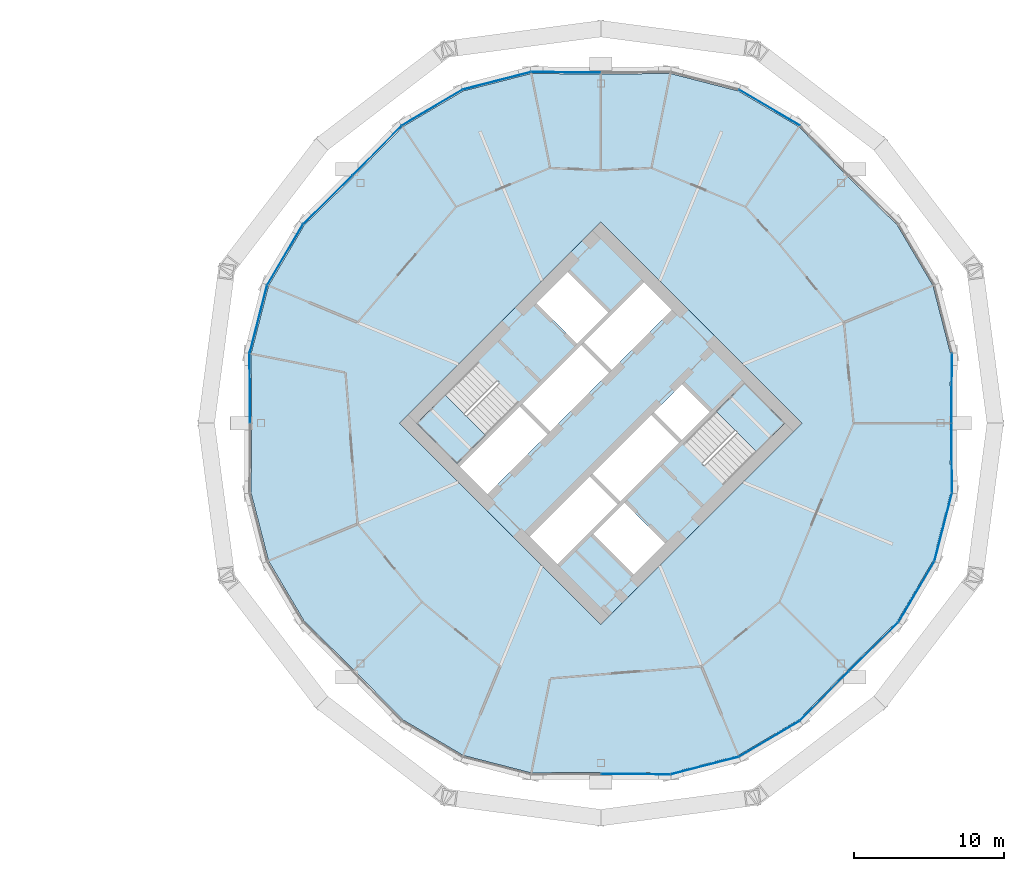
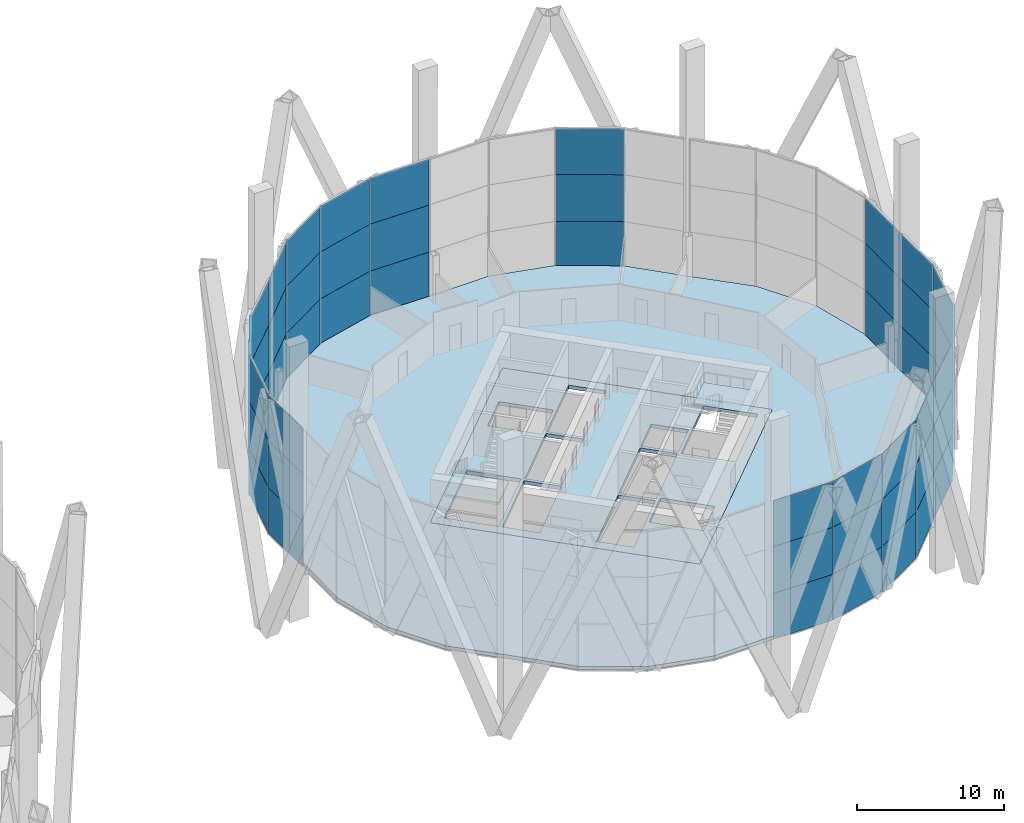
# One storey, part 17 of 26: 54 plates, 4 slabs, 8 elements without a shape of their own.
"""IFC4 building model written with IfcOpenShell, lengths in metres."""

from ifc_helpers import new_model, si_unit, direction, frame, origin, origin_2d, place, context, subcontext, project, spatial, polyline, rectangle, outline, extrude, material, layer, layer_set, type_object, element, aggregate, save


model = new_model("IFC4")

# Units and contexts
model_context = context("Model", 3, precision=1e-05, world=origin(), true_north=direction((0.0, 1.0)))
body_context = subcontext(model_context, "Body", "Model", "MODEL_VIEW")
ifc_project = project(units=[si_unit("LENGTHUNIT", "METRE"), si_unit("AREAUNIT", "SQUARE_METRE"), si_unit("VOLUMEUNIT", "CUBIC_METRE"), si_unit("PLANEANGLEUNIT", "RADIAN"), si_unit("MASSUNIT", "GRAM", prefix="KILO")], contexts=[model_context])

# Site, building, storey
site_placement = place(None, origin())
site = spatial("IfcSite", under=ifc_project, at=site_placement, CompositionType="ELEMENT")
building_placement = place(site_placement, origin())
building = spatial("IfcBuilding", under=site, at=building_placement, Name="Ogive Gate Towers", CompositionType="ELEMENT")
storey_placement = place(building_placement, frame((0.0, 0.0, 76.199951171875)))
storey = spatial("IfcBuildingStorey", under=building, at=storey_placement, Name="L17", CompositionType="ELEMENT", Elevation=76.199951171875)

# Slabs
ifc_material_1 = material(Name="Concrete C40/50", Category="concrete")
ifc_layer_1 = layer(ifc_material_1, 0.300048828125)
ifc_layer_set_1 = layer_set([ifc_layer_1], Name="Core slab C40/50 300 mm")
slab_type_1 = type_object("IfcSlabType", Name="Core slab C40/50 300 mm", PredefinedType="FLOOR", material=ifc_layer_set_1)
slab_1_placement = place(storey_placement, frame((0.0, 0.0, -0.300048828125)))
element("IfcSlab", 1, at=slab_1_placement, inside=storey, type_object=slab_type_1, Name="T2 L17 core slab", PredefinedType="FLOOR", context=body_context, shape_type="SweptSolid", body=[
    extrude(outline(polyline([(36.0, 13.43505859375), (49.43505859375, 0.0), (36.0, -13.43505859375), (22.56494140625, 0.0), (36.0, 13.43505859375)]), holes=[polyline([(30.590576171875, 1.13134765625), (26.577880859375, -2.881591796875), (28.43408203125, -4.737548828125), (32.44677734375, -0.724853515625), (30.590576171875, 1.13134765625)]), polyline([(36.548095703125, 3.37646484375), (34.69189453125, 5.232666015625), (30.767333984375, 1.30810546875), (32.62353515625, -0.548095703125), (36.548095703125, 3.37646484375)]), polyline([(36.724853515625, 3.55322265625), (40.737548828125, 7.56591796875), (38.881591796875, 9.422119140625), (34.86865234375, 5.409423828125), (36.724853515625, 3.55322265625)]), polyline([(31.262451171875, -7.56591796875), (33.118408203125, -9.422119140625), (37.13134765625, -5.409423828125), (35.275146484375, -3.55322265625), (31.262451171875, -7.56591796875)]), polyline([(39.37646484375, 0.548095703125), (35.451904296875, -3.37646484375), (37.30810546875, -5.232666015625), (41.232666015625, -1.30810546875), (39.37646484375, 0.548095703125)]), polyline([(43.283203125, 0.742431640625), (41.427001953125, 2.5986328125), (39.55322265625, 0.724853515625), (41.409423828125, -1.13134765625), (43.283203125, 0.742431640625)]), polyline([(34.408935546875, 5.30322265625), (36.4951171875, 7.389404296875), (33.790283203125, 10.093994140625), (31.704345703125, 8.008056640625), (34.408935546875, 5.30322265625)]), polyline([(35.5048828125, -7.389404296875), (38.209716796875, -10.093994140625), (40.295654296875, -8.008056640625), (37.591064453125, -5.30322265625), (35.5048828125, -7.389404296875)]), polyline([(26.40087890625, -2.70458984375), (30.512939453125, 1.406982421875), (27.80810546875, 4.11181640625), (23.6962890625, 0.0), (26.40087890625, -2.70458984375)]), polyline([(48.3037109375, 0.0), (45.59912109375, 2.70458984375), (41.487060546875, -1.406982421875), (44.19189453125, -4.11181640625), (48.3037109375, 0.0)])]), origin(), (0.0, 0.0, 1.0), 0.300048828125),
])
ifc_material_2 = material(Name="Concrete C35/45", Category="concrete")
ifc_layer_2 = layer(ifc_material_2, 0.300048828125)
ifc_layer_set_2 = layer_set([ifc_layer_2], Name="Floor slab 300")
slab_type_2 = type_object("IfcSlabType", Name="Floor slab 300", PredefinedType="FLOOR", material=ifc_layer_set_2)
slab_2_placement = place(storey_placement, frame((0.0, 0.0, -0.300048828125)))
element("IfcSlab", 2, at=slab_2_placement, inside=storey, type_object=slab_type_2, Name="T2/L17/SSL001", PredefinedType="FLOOR", context=body_context, shape_type="SweptSolid", body=[
    extrude(outline(polyline([(59.3427734375, -4.64306640625), (59.300048828125, 0.0), (59.3427734375, 4.64306640625), (58.173095703125, 9.184326171875), (55.7890625, 13.22265625), (52.4755859375, 16.4755859375), (49.22265625, 19.7890625), (45.184326171875, 22.173095703125), (40.64306640625, 23.3427734375), (36.0, 23.300048828125), (31.35693359375, 23.3427734375), (26.815673828125, 22.173095703125), (22.77734375, 19.7890625), (19.5244140625, 16.4755859375), (16.2109375, 13.22265625), (13.826904296875, 9.184326171875), (12.6572265625, 4.64306640625), (12.699951171875, 0.0), (12.6572265625, -4.64306640625), (13.826904296875, -9.184326171875), (16.2109375, -13.22265625), (19.5244140625, -16.4755859375), (22.77734375, -19.7890625), (26.815673828125, -22.173095703125), (31.35693359375, -23.3427734375), (36.0, -23.300048828125), (40.64306640625, -23.3427734375), (45.184326171875, -22.173095703125), (49.22265625, -19.7890625), (52.4755859375, -16.4755859375), (55.7890625, -13.22265625), (58.173095703125, -9.184326171875), (59.3427734375, -4.64306640625)]), holes=[polyline([(49.43505859375, 0.0), (36.0, -13.43505859375), (22.56494140625, 0.0), (36.0, 13.43505859375), (49.43505859375, 0.0)])]), origin(), (0.0, 0.0, 1.0), 0.300048828125),
])

# Stair, slab
stair_type = type_object("IfcStairType", Name="Escape stair 1840 wide", PredefinedType="HALF_TURN_STAIR", material=ifc_material_1)
stair_1_placement = place(storey_placement, origin())
stair_1 = element("IfcStair", 3, at=stair_1_placement, inside=storey, type_object=stair_type, Name="L17 Escape stair 1", PredefinedType="HALF_TURN_STAIR")
ifc_layer_3 = layer(ifc_material_1, 0.199951171875)
ifc_layer_set_3 = layer_set([ifc_layer_3], Name="Stair landing 200 mm")
slab_type_3 = type_object("IfcSlabType", Name="Stair landing 200 mm", PredefinedType="LANDING", material=ifc_layer_set_3)
slab_3_placement = place(storey_placement, frame((0.0, 0.0, 1.75)))
slab_3 = element("IfcSlab", 4, at=slab_3_placement, type_object=slab_type_3, Name="ST1 landing 1", PredefinedType="LANDING", context=body_context, shape_type="SweptSolid", body=[
    extrude(outline(polyline([(25.6044921875, 1.908203125), (23.6962890625, 0.0), (26.401123046875, -2.70458984375), (28.309326171875, -0.79638671875), (25.6044921875, 1.908203125)])), origin(), (0.0, 0.0, 1.0), 0.199951171875),
])
aggregate(stair_1, [slab_3])

stair_2_placement = place(storey_placement, origin())
stair_2 = element("IfcStair", 5, at=stair_2_placement, inside=storey, type_object=stair_type, Name="L17 Escape stair 2", PredefinedType="HALF_TURN_STAIR")
slab_4_placement = place(storey_placement, frame((0.0, 0.0, 1.75)))
slab_4 = element("IfcSlab", 6, at=slab_4_placement, type_object=slab_type_3, Name="ST2 landing 1", PredefinedType="LANDING", context=body_context, shape_type="SweptSolid", body=[
    extrude(outline(polyline([(46.3955078125, -1.908203125), (48.3037109375, 0.0), (45.598876953125, 2.70458984375), (43.690673828125, 0.79638671875), (46.3955078125, -1.908203125)])), origin(), (0.0, 0.0, 1.0), 0.199951171875),
])
aggregate(stair_2, [slab_4])

# Curtain wall, plates
ifc_material_3 = material(Name="Pale metal aluminium", Category="aluminium")
curtain_wall_type = type_object("IfcCurtainWallType", Name="Tower unitised wall, low zone", PredefinedType="NOTDEFINED", material=ifc_material_3)
curtain_wall_1_placement = place(storey_placement, origin())
curtain_wall_1 = element("IfcCurtainWall", 7, at=curtain_wall_1_placement, inside=storey, type_object=curtain_wall_type, Name="CW1 T2 ECW01", PredefinedType="NOTDEFINED")
ifc_material_4 = material(Name="Clear glass", Category="glass")
ifc_layer_4 = layer(ifc_material_4, 0.028076171875)
ifc_layer_set_4 = layer_set([ifc_layer_4], Name="Tower unitised wall, low zone glass panel")
plate_type = type_object("IfcPlateType", Name="Tower unitised wall, low zone glass panel", PredefinedType="CURTAIN_PANEL", material=ifc_layer_set_4)
plate_1_placement = place(storey_placement, frame((59.42138671875, 2.32568359375, -0.2041015625), z_axis=(0.0, 0.0, 1.0), x_axis=(0.009197755467, 0.999957699753, 0.0)))
plate_1 = element("IfcPlate", 8, at=plate_1_placement, type_object=plate_type, Name="CW1 glass panel", PredefinedType="CURTAIN_PANEL", context=body_context, shape_type="SweptSolid", body=[
    extrude(rectangle(XDim=4.597900390625, YDim=0.028076171875, at=origin_2d()), origin(), (0.0, 0.0, 1.0), 3.803955078125),
])
plate_2_placement = place(storey_placement, frame((59.42138671875, 2.32568359375, 3.60009765625), z_axis=(0.0, 0.0, 1.0), x_axis=(0.009197755467, 0.999957699753, 0.0)))
plate_2 = element("IfcPlate", 9, at=plate_2_placement, type_object=plate_type, Name="CW1 glass panel", PredefinedType="CURTAIN_PANEL", context=body_context, shape_type="SweptSolid", body=[
    extrude(rectangle(XDim=4.597900390625, YDim=0.028076171875, at=origin_2d()), origin(), (0.0, 0.0, 1.0), 3.89990234375),
])
plate_3_placement = place(storey_placement, frame((59.42138671875, 2.32568359375, 7.5), z_axis=(0.0, 0.0, 1.0), x_axis=(0.009197755467, 0.999957699753, 0.0)))
plate_3 = element("IfcPlate", 10, at=plate_3_placement, type_object=plate_type, Name="CW1 glass panel", PredefinedType="CURTAIN_PANEL", context=body_context, shape_type="SweptSolid", body=[
    extrude(rectangle(XDim=4.597900390625, YDim=0.028076171875, at=origin_2d()), origin(), (0.0, 0.0, 1.0), 3.803955078125),
])
aggregate(curtain_wall_1, [plate_1, plate_2, plate_3])

curtain_wall_2_placement = place(storey_placement, origin())
curtain_wall_2 = element("IfcCurtainWall", 11, at=curtain_wall_2_placement, inside=storey, type_object=curtain_wall_type, Name="CW1 T2 ECW02", PredefinedType="NOTDEFINED")
plate_4_placement = place(storey_placement, frame((47.25390625, 21.0673828125, -0.2041015625), z_axis=(0.0, 0.0, 1.0), x_axis=(-0.86111494256, 0.508410322181, 0.0)))
plate_4 = element("IfcPlate", 12, at=plate_4_placement, type_object=plate_type, Name="CW1 glass panel", PredefinedType="CURTAIN_PANEL", context=body_context, shape_type="SweptSolid", body=[
    extrude(rectangle(XDim=4.65478515625, YDim=0.028076171875, at=origin_2d()), origin(), (0.0, 0.0, 1.0), 3.803955078125),
])
plate_5_placement = place(storey_placement, frame((47.25390625, 21.0673828125, 3.60009765625), z_axis=(0.0, 0.0, 1.0), x_axis=(-0.86111494256, 0.508410322181, 0.0)))
plate_5 = element("IfcPlate", 13, at=plate_5_placement, type_object=plate_type, Name="CW1 glass panel", PredefinedType="CURTAIN_PANEL", context=body_context, shape_type="SweptSolid", body=[
    extrude(rectangle(XDim=4.65478515625, YDim=0.028076171875, at=origin_2d()), origin(), (0.0, 0.0, 1.0), 3.89990234375),
])
plate_6_placement = place(storey_placement, frame((47.25390625, 21.0673828125, 7.5), z_axis=(0.0, 0.0, 1.0), x_axis=(-0.86111494256, 0.508410322181, 0.0)))
plate_6 = element("IfcPlate", 14, at=plate_6_placement, type_object=plate_type, Name="CW1 glass panel", PredefinedType="CURTAIN_PANEL", context=body_context, shape_type="SweptSolid", body=[
    extrude(rectangle(XDim=4.65478515625, YDim=0.028076171875, at=origin_2d()), origin(), (0.0, 0.0, 1.0), 3.803955078125),
])
aggregate(curtain_wall_2, [plate_4, plate_5, plate_6])

curtain_wall_3_placement = place(storey_placement, origin())
curtain_wall_3 = element("IfcCurtainWall", 15, at=curtain_wall_3_placement, inside=storey, type_object=curtain_wall_type, Name="CW1 T2 ECW03", PredefinedType="NOTDEFINED")
plate_7_placement = place(storey_placement, frame((33.67431640625, 23.42138671875, -0.2041015625), z_axis=(0.0, 0.0, 1.0), x_axis=(-0.999957699753, 0.009197755467, 0.0)))
plate_7 = element("IfcPlate", 16, at=plate_7_placement, type_object=plate_type, Name="CW1 glass panel", PredefinedType="CURTAIN_PANEL", context=body_context, shape_type="SweptSolid", body=[
    extrude(rectangle(XDim=4.597900390625, YDim=0.028076171875, at=origin_2d()), origin(), (0.0, 0.0, 1.0), 3.803955078125),
])
plate_8_placement = place(storey_placement, frame((33.67431640625, 23.42138671875, 3.60009765625), z_axis=(0.0, 0.0, 1.0), x_axis=(-0.999957699753, 0.009197755467, 0.0)))
plate_8 = element("IfcPlate", 17, at=plate_8_placement, type_object=plate_type, Name="CW1 glass panel", PredefinedType="CURTAIN_PANEL", context=body_context, shape_type="SweptSolid", body=[
    extrude(rectangle(XDim=4.597900390625, YDim=0.028076171875, at=origin_2d()), origin(), (0.0, 0.0, 1.0), 3.89990234375),
])
plate_9_placement = place(storey_placement, frame((33.67431640625, 23.42138671875, 7.5), z_axis=(0.0, 0.0, 1.0), x_axis=(-0.999957699753, 0.009197755467, 0.0)))
plate_9 = element("IfcPlate", 18, at=plate_9_placement, type_object=plate_type, Name="CW1 glass panel", PredefinedType="CURTAIN_PANEL", context=body_context, shape_type="SweptSolid", body=[
    extrude(rectangle(XDim=4.597900390625, YDim=0.028076171875, at=origin_2d()), origin(), (0.0, 0.0, 1.0), 3.803955078125),
])
plate_10_placement = place(storey_placement, frame((29.060791015625, 22.8544921875, -0.2041015625), z_axis=(0.0, 0.0, 1.0), x_axis=(-0.968396248709, -0.249416730566, 0.0)))
plate_10 = element("IfcPlate", 19, at=plate_10_placement, type_object=plate_type, Name="CW1 glass panel", PredefinedType="CURTAIN_PANEL", context=body_context, shape_type="SweptSolid", body=[
    extrude(rectangle(XDim=4.65478515625, YDim=0.028076171875, at=origin_2d()), origin(), (0.0, 0.0, 1.0), 3.803955078125),
])
plate_11_placement = place(storey_placement, frame((29.060791015625, 22.8544921875, 3.60009765625), z_axis=(0.0, 0.0, 1.0), x_axis=(-0.968396248709, -0.249416730566, 0.0)))
plate_11 = element("IfcPlate", 20, at=plate_11_placement, type_object=plate_type, Name="CW1 glass panel", PredefinedType="CURTAIN_PANEL", context=body_context, shape_type="SweptSolid", body=[
    extrude(rectangle(XDim=4.65478515625, YDim=0.028076171875, at=origin_2d()), origin(), (0.0, 0.0, 1.0), 3.89990234375),
])
plate_12_placement = place(storey_placement, frame((29.060791015625, 22.8544921875, 7.5), z_axis=(0.0, 0.0, 1.0), x_axis=(-0.968396248709, -0.249416730566, 0.0)))
plate_12 = element("IfcPlate", 21, at=plate_12_placement, type_object=plate_type, Name="CW1 glass panel", PredefinedType="CURTAIN_PANEL", context=body_context, shape_type="SweptSolid", body=[
    extrude(rectangle(XDim=4.65478515625, YDim=0.028076171875, at=origin_2d()), origin(), (0.0, 0.0, 1.0), 3.803955078125),
])
plate_13_placement = place(storey_placement, frame((24.74609375, 21.0673828125, -0.2041015625), z_axis=(0.0, 0.0, 1.0), x_axis=(-0.86111494256, -0.508410322181, 0.0)))
plate_13 = element("IfcPlate", 22, at=plate_13_placement, type_object=plate_type, Name="CW1 glass panel", PredefinedType="CURTAIN_PANEL", context=body_context, shape_type="SweptSolid", body=[
    extrude(rectangle(XDim=4.65478515625, YDim=0.028076171875, at=origin_2d()), origin(), (0.0, 0.0, 1.0), 3.803955078125),
])
plate_14_placement = place(storey_placement, frame((24.74609375, 21.0673828125, 3.60009765625), z_axis=(0.0, 0.0, 1.0), x_axis=(-0.86111494256, -0.508410322181, 0.0)))
plate_14 = element("IfcPlate", 23, at=plate_14_placement, type_object=plate_type, Name="CW1 glass panel", PredefinedType="CURTAIN_PANEL", context=body_context, shape_type="SweptSolid", body=[
    extrude(rectangle(XDim=4.65478515625, YDim=0.028076171875, at=origin_2d()), origin(), (0.0, 0.0, 1.0), 3.89990234375),
])
plate_15_placement = place(storey_placement, frame((24.74609375, 21.0673828125, 7.5), z_axis=(0.0, 0.0, 1.0), x_axis=(-0.86111494256, -0.508410322181, 0.0)))
plate_15 = element("IfcPlate", 24, at=plate_15_placement, type_object=plate_type, Name="CW1 glass panel", PredefinedType="CURTAIN_PANEL", context=body_context, shape_type="SweptSolid", body=[
    extrude(rectangle(XDim=4.65478515625, YDim=0.028076171875, at=origin_2d()), origin(), (0.0, 0.0, 1.0), 3.803955078125),
])
plate_16_placement = place(storey_placement, frame((21.083251953125, 18.2060546875, -0.2041015625), z_axis=(0.0, 0.0, 1.0), x_axis=(-0.700585529358, -0.713568438241, 0.0)))
plate_16 = element("IfcPlate", 25, at=plate_16_placement, type_object=plate_type, Name="CW1 glass panel", PredefinedType="CURTAIN_PANEL", context=body_context, shape_type="SweptSolid", body=[
    extrude(rectangle(XDim=4.59765625, YDim=0.028076171875, at=origin_2d()), origin(), (0.0, 0.0, 1.0), 3.803955078125),
])
plate_17_placement = place(storey_placement, frame((21.083251953125, 18.2060546875, 3.60009765625), z_axis=(0.0, 0.0, 1.0), x_axis=(-0.700585529358, -0.713568438241, 0.0)))
plate_17 = element("IfcPlate", 26, at=plate_17_placement, type_object=plate_type, Name="CW1 glass panel", PredefinedType="CURTAIN_PANEL", context=body_context, shape_type="SweptSolid", body=[
    extrude(rectangle(XDim=4.59765625, YDim=0.028076171875, at=origin_2d()), origin(), (0.0, 0.0, 1.0), 3.89990234375),
])
plate_18_placement = place(storey_placement, frame((21.083251953125, 18.2060546875, 7.5), z_axis=(0.0, 0.0, 1.0), x_axis=(-0.700585529358, -0.713568438241, 0.0)))
plate_18 = element("IfcPlate", 27, at=plate_18_placement, type_object=plate_type, Name="CW1 glass panel", PredefinedType="CURTAIN_PANEL", context=body_context, shape_type="SweptSolid", body=[
    extrude(rectangle(XDim=4.59765625, YDim=0.028076171875, at=origin_2d()), origin(), (0.0, 0.0, 1.0), 3.803955078125),
])
aggregate(curtain_wall_3, [plate_7, plate_8, plate_9, plate_10, plate_11, plate_12, plate_13, plate_14, plate_15, plate_16, plate_17, plate_18])

curtain_wall_4_placement = place(storey_placement, origin())
curtain_wall_4 = element("IfcCurtainWall", 28, at=curtain_wall_4_placement, inside=storey, type_object=curtain_wall_type, Name="CW1 T2 ECW04", PredefinedType="NOTDEFINED")
plate_19_placement = place(storey_placement, frame((17.7939453125, 14.916748046875, -0.2041015625), z_axis=(0.0, 0.0, 1.0), x_axis=(-0.713568438241, -0.700585529358, 0.0)))
plate_19 = element("IfcPlate", 29, at=plate_19_placement, type_object=plate_type, Name="CW1 glass panel", PredefinedType="CURTAIN_PANEL", context=body_context, shape_type="SweptSolid", body=[
    extrude(rectangle(XDim=4.59765625, YDim=0.028076171875, at=origin_2d()), origin(), (0.0, 0.0, 1.0), 3.803955078125),
])
plate_20_placement = place(storey_placement, frame((17.7939453125, 14.916748046875, 3.60009765625), z_axis=(0.0, 0.0, 1.0), x_axis=(-0.713568438241, -0.700585529358, 0.0)))
plate_20 = element("IfcPlate", 30, at=plate_20_placement, type_object=plate_type, Name="CW1 glass panel", PredefinedType="CURTAIN_PANEL", context=body_context, shape_type="SweptSolid", body=[
    extrude(rectangle(XDim=4.59765625, YDim=0.028076171875, at=origin_2d()), origin(), (0.0, 0.0, 1.0), 3.89990234375),
])
plate_21_placement = place(storey_placement, frame((17.7939453125, 14.916748046875, 7.5), z_axis=(0.0, 0.0, 1.0), x_axis=(-0.713568438241, -0.700585529358, 0.0)))
plate_21 = element("IfcPlate", 31, at=plate_21_placement, type_object=plate_type, Name="CW1 glass panel", PredefinedType="CURTAIN_PANEL", context=body_context, shape_type="SweptSolid", body=[
    extrude(rectangle(XDim=4.59765625, YDim=0.028076171875, at=origin_2d()), origin(), (0.0, 0.0, 1.0), 3.803955078125),
])
plate_22_placement = place(storey_placement, frame((14.9326171875, 11.25390625, -0.2041015625), z_axis=(0.0, 0.0, 1.0), x_axis=(-0.508410322181, -0.86111494256, 0.0)))
plate_22 = element("IfcPlate", 32, at=plate_22_placement, type_object=plate_type, Name="CW1 glass panel", PredefinedType="CURTAIN_PANEL", context=body_context, shape_type="SweptSolid", body=[
    extrude(rectangle(XDim=4.65478515625, YDim=0.028076171875, at=origin_2d()), origin(), (0.0, 0.0, 1.0), 3.803955078125),
])
plate_23_placement = place(storey_placement, frame((14.9326171875, 11.25390625, 3.60009765625), z_axis=(0.0, 0.0, 1.0), x_axis=(-0.508410322181, -0.86111494256, 0.0)))
plate_23 = element("IfcPlate", 33, at=plate_23_placement, type_object=plate_type, Name="CW1 glass panel", PredefinedType="CURTAIN_PANEL", context=body_context, shape_type="SweptSolid", body=[
    extrude(rectangle(XDim=4.65478515625, YDim=0.028076171875, at=origin_2d()), origin(), (0.0, 0.0, 1.0), 3.89990234375),
])
plate_24_placement = place(storey_placement, frame((14.9326171875, 11.25390625, 7.5), z_axis=(0.0, 0.0, 1.0), x_axis=(-0.508410322181, -0.86111494256, 0.0)))
plate_24 = element("IfcPlate", 34, at=plate_24_placement, type_object=plate_type, Name="CW1 glass panel", PredefinedType="CURTAIN_PANEL", context=body_context, shape_type="SweptSolid", body=[
    extrude(rectangle(XDim=4.65478515625, YDim=0.028076171875, at=origin_2d()), origin(), (0.0, 0.0, 1.0), 3.803955078125),
])
plate_25_placement = place(storey_placement, frame((13.1455078125, 6.939208984375, -0.2041015625), z_axis=(0.0, 0.0, 1.0), x_axis=(-0.249416730566, -0.968396248709, 0.0)))
plate_25 = element("IfcPlate", 35, at=plate_25_placement, type_object=plate_type, Name="CW1 glass panel", PredefinedType="CURTAIN_PANEL", context=body_context, shape_type="SweptSolid", body=[
    extrude(rectangle(XDim=4.65478515625, YDim=0.028076171875, at=origin_2d()), origin(), (0.0, 0.0, 1.0), 3.803955078125),
])
plate_26_placement = place(storey_placement, frame((13.1455078125, 6.939208984375, 3.60009765625), z_axis=(0.0, 0.0, 1.0), x_axis=(-0.249416730566, -0.968396248709, 0.0)))
plate_26 = element("IfcPlate", 36, at=plate_26_placement, type_object=plate_type, Name="CW1 glass panel", PredefinedType="CURTAIN_PANEL", context=body_context, shape_type="SweptSolid", body=[
    extrude(rectangle(XDim=4.65478515625, YDim=0.028076171875, at=origin_2d()), origin(), (0.0, 0.0, 1.0), 3.89990234375),
])
plate_27_placement = place(storey_placement, frame((13.1455078125, 6.939208984375, 7.5), z_axis=(0.0, 0.0, 1.0), x_axis=(-0.249416730566, -0.968396248709, 0.0)))
plate_27 = element("IfcPlate", 37, at=plate_27_placement, type_object=plate_type, Name="CW1 glass panel", PredefinedType="CURTAIN_PANEL", context=body_context, shape_type="SweptSolid", body=[
    extrude(rectangle(XDim=4.65478515625, YDim=0.028076171875, at=origin_2d()), origin(), (0.0, 0.0, 1.0), 3.803955078125),
])
plate_28_placement = place(storey_placement, frame((12.57861328125, 2.32568359375, -0.2041015625), z_axis=(0.0, 0.0, 1.0), x_axis=(0.009197755467, -0.999957699753, 0.0)))
plate_28 = element("IfcPlate", 38, at=plate_28_placement, type_object=plate_type, Name="CW1 glass panel", PredefinedType="CURTAIN_PANEL", context=body_context, shape_type="SweptSolid", body=[
    extrude(rectangle(XDim=4.597900390625, YDim=0.028076171875, at=origin_2d()), origin(), (0.0, 0.0, 1.0), 3.803955078125),
])
plate_29_placement = place(storey_placement, frame((12.57861328125, 2.32568359375, 3.60009765625), z_axis=(0.0, 0.0, 1.0), x_axis=(0.009197755467, -0.999957699753, 0.0)))
plate_29 = element("IfcPlate", 39, at=plate_29_placement, type_object=plate_type, Name="CW1 glass panel", PredefinedType="CURTAIN_PANEL", context=body_context, shape_type="SweptSolid", body=[
    extrude(rectangle(XDim=4.597900390625, YDim=0.028076171875, at=origin_2d()), origin(), (0.0, 0.0, 1.0), 3.89990234375),
])
plate_30_placement = place(storey_placement, frame((12.57861328125, 2.32568359375, 7.5), z_axis=(0.0, 0.0, 1.0), x_axis=(0.009197755467, -0.999957699753, 0.0)))
plate_30 = element("IfcPlate", 40, at=plate_30_placement, type_object=plate_type, Name="CW1 glass panel", PredefinedType="CURTAIN_PANEL", context=body_context, shape_type="SweptSolid", body=[
    extrude(rectangle(XDim=4.597900390625, YDim=0.028076171875, at=origin_2d()), origin(), (0.0, 0.0, 1.0), 3.803955078125),
])
aggregate(curtain_wall_4, [plate_19, plate_20, plate_21, plate_22, plate_23, plate_24, plate_25, plate_26, plate_27, plate_28, plate_29, plate_30])

curtain_wall_5_placement = place(storey_placement, origin())
curtain_wall_5 = element("IfcCurtainWall", 41, at=curtain_wall_5_placement, inside=storey, type_object=curtain_wall_type, Name="CW1 T2 ECW07", PredefinedType="NOTDEFINED")
plate_31_placement = place(storey_placement, frame((38.32568359375, -23.42138671875, -0.2041015625), z_axis=(0.0, 0.0, 1.0), x_axis=(0.999957699753, -0.009197755467, 0.0)))
plate_31 = element("IfcPlate", 42, at=plate_31_placement, type_object=plate_type, Name="CW1 glass panel", PredefinedType="CURTAIN_PANEL", context=body_context, shape_type="SweptSolid", body=[
    extrude(rectangle(XDim=4.597900390625, YDim=0.028076171875, at=origin_2d()), origin(), (0.0, 0.0, 1.0), 3.803955078125),
])
plate_32_placement = place(storey_placement, frame((38.32568359375, -23.42138671875, 3.60009765625), z_axis=(0.0, 0.0, 1.0), x_axis=(0.999957699753, -0.009197755467, 0.0)))
plate_32 = element("IfcPlate", 43, at=plate_32_placement, type_object=plate_type, Name="CW1 glass panel", PredefinedType="CURTAIN_PANEL", context=body_context, shape_type="SweptSolid", body=[
    extrude(rectangle(XDim=4.597900390625, YDim=0.028076171875, at=origin_2d()), origin(), (0.0, 0.0, 1.0), 3.89990234375),
])
plate_33_placement = place(storey_placement, frame((38.32568359375, -23.42138671875, 7.5), z_axis=(0.0, 0.0, 1.0), x_axis=(0.999957699753, -0.009197755467, 0.0)))
plate_33 = element("IfcPlate", 44, at=plate_33_placement, type_object=plate_type, Name="CW1 glass panel", PredefinedType="CURTAIN_PANEL", context=body_context, shape_type="SweptSolid", body=[
    extrude(rectangle(XDim=4.597900390625, YDim=0.028076171875, at=origin_2d()), origin(), (0.0, 0.0, 1.0), 3.803955078125),
])
plate_34_placement = place(storey_placement, frame((42.939208984375, -22.8544921875, -0.2041015625), z_axis=(0.0, 0.0, 1.0), x_axis=(0.968396248709, 0.249416730566, 0.0)))
plate_34 = element("IfcPlate", 45, at=plate_34_placement, type_object=plate_type, Name="CW1 glass panel", PredefinedType="CURTAIN_PANEL", context=body_context, shape_type="SweptSolid", body=[
    extrude(rectangle(XDim=4.65478515625, YDim=0.028076171875, at=origin_2d()), origin(), (0.0, 0.0, 1.0), 3.803955078125),
])
plate_35_placement = place(storey_placement, frame((42.939208984375, -22.8544921875, 3.60009765625), z_axis=(0.0, 0.0, 1.0), x_axis=(0.968396248709, 0.249416730566, 0.0)))
plate_35 = element("IfcPlate", 46, at=plate_35_placement, type_object=plate_type, Name="CW1 glass panel", PredefinedType="CURTAIN_PANEL", context=body_context, shape_type="SweptSolid", body=[
    extrude(rectangle(XDim=4.65478515625, YDim=0.028076171875, at=origin_2d()), origin(), (0.0, 0.0, 1.0), 3.89990234375),
])
plate_36_placement = place(storey_placement, frame((42.939208984375, -22.8544921875, 7.5), z_axis=(0.0, 0.0, 1.0), x_axis=(0.968396248709, 0.249416730566, 0.0)))
plate_36 = element("IfcPlate", 47, at=plate_36_placement, type_object=plate_type, Name="CW1 glass panel", PredefinedType="CURTAIN_PANEL", context=body_context, shape_type="SweptSolid", body=[
    extrude(rectangle(XDim=4.65478515625, YDim=0.028076171875, at=origin_2d()), origin(), (0.0, 0.0, 1.0), 3.803955078125),
])
plate_37_placement = place(storey_placement, frame((47.25390625, -21.0673828125, -0.2041015625), z_axis=(0.0, 0.0, 1.0), x_axis=(0.86111494256, 0.508410322181, 0.0)))
plate_37 = element("IfcPlate", 48, at=plate_37_placement, type_object=plate_type, Name="CW1 glass panel", PredefinedType="CURTAIN_PANEL", context=body_context, shape_type="SweptSolid", body=[
    extrude(rectangle(XDim=4.65478515625, YDim=0.028076171875, at=origin_2d()), origin(), (0.0, 0.0, 1.0), 3.803955078125),
])
plate_38_placement = place(storey_placement, frame((47.25390625, -21.0673828125, 3.60009765625), z_axis=(0.0, 0.0, 1.0), x_axis=(0.86111494256, 0.508410322181, 0.0)))
plate_38 = element("IfcPlate", 49, at=plate_38_placement, type_object=plate_type, Name="CW1 glass panel", PredefinedType="CURTAIN_PANEL", context=body_context, shape_type="SweptSolid", body=[
    extrude(rectangle(XDim=4.65478515625, YDim=0.028076171875, at=origin_2d()), origin(), (0.0, 0.0, 1.0), 3.89990234375),
])
plate_39_placement = place(storey_placement, frame((47.25390625, -21.0673828125, 7.5), z_axis=(0.0, 0.0, 1.0), x_axis=(0.86111494256, 0.508410322181, 0.0)))
plate_39 = element("IfcPlate", 50, at=plate_39_placement, type_object=plate_type, Name="CW1 glass panel", PredefinedType="CURTAIN_PANEL", context=body_context, shape_type="SweptSolid", body=[
    extrude(rectangle(XDim=4.65478515625, YDim=0.028076171875, at=origin_2d()), origin(), (0.0, 0.0, 1.0), 3.803955078125),
])
plate_40_placement = place(storey_placement, frame((50.916748046875, -18.2060546875, -0.2041015625), z_axis=(0.0, 0.0, 1.0), x_axis=(0.700585529358, 0.713568438241, 0.0)))
plate_40 = element("IfcPlate", 51, at=plate_40_placement, type_object=plate_type, Name="CW1 glass panel", PredefinedType="CURTAIN_PANEL", context=body_context, shape_type="SweptSolid", body=[
    extrude(rectangle(XDim=4.59765625, YDim=0.028076171875, at=origin_2d()), origin(), (0.0, 0.0, 1.0), 3.803955078125),
])
plate_41_placement = place(storey_placement, frame((50.916748046875, -18.2060546875, 3.60009765625), z_axis=(0.0, 0.0, 1.0), x_axis=(0.700585529358, 0.713568438241, 0.0)))
plate_41 = element("IfcPlate", 52, at=plate_41_placement, type_object=plate_type, Name="CW1 glass panel", PredefinedType="CURTAIN_PANEL", context=body_context, shape_type="SweptSolid", body=[
    extrude(rectangle(XDim=4.59765625, YDim=0.028076171875, at=origin_2d()), origin(), (0.0, 0.0, 1.0), 3.89990234375),
])
plate_42_placement = place(storey_placement, frame((50.916748046875, -18.2060546875, 7.5), z_axis=(0.0, 0.0, 1.0), x_axis=(0.700585529358, 0.713568438241, 0.0)))
plate_42 = element("IfcPlate", 53, at=plate_42_placement, type_object=plate_type, Name="CW1 glass panel", PredefinedType="CURTAIN_PANEL", context=body_context, shape_type="SweptSolid", body=[
    extrude(rectangle(XDim=4.59765625, YDim=0.028076171875, at=origin_2d()), origin(), (0.0, 0.0, 1.0), 3.803955078125),
])
aggregate(curtain_wall_5, [plate_31, plate_32, plate_33, plate_34, plate_35, plate_36, plate_37, plate_38, plate_39, plate_40, plate_41, plate_42])

curtain_wall_6_placement = place(storey_placement, origin())
curtain_wall_6 = element("IfcCurtainWall", 54, at=curtain_wall_6_placement, inside=storey, type_object=curtain_wall_type, Name="CW1 T2 ECW08", PredefinedType="NOTDEFINED")
plate_43_placement = place(storey_placement, frame((54.2060546875, -14.916748046875, -0.2041015625), z_axis=(0.0, 0.0, 1.0), x_axis=(0.713568438241, 0.700585529358, 0.0)))
plate_43 = element("IfcPlate", 55, at=plate_43_placement, type_object=plate_type, Name="CW1 glass panel", PredefinedType="CURTAIN_PANEL", context=body_context, shape_type="SweptSolid", body=[
    extrude(rectangle(XDim=4.59765625, YDim=0.028076171875, at=origin_2d()), origin(), (0.0, 0.0, 1.0), 3.803955078125),
])
plate_44_placement = place(storey_placement, frame((54.2060546875, -14.916748046875, 3.60009765625), z_axis=(0.0, 0.0, 1.0), x_axis=(0.713568438241, 0.700585529358, 0.0)))
plate_44 = element("IfcPlate", 56, at=plate_44_placement, type_object=plate_type, Name="CW1 glass panel", PredefinedType="CURTAIN_PANEL", context=body_context, shape_type="SweptSolid", body=[
    extrude(rectangle(XDim=4.59765625, YDim=0.028076171875, at=origin_2d()), origin(), (0.0, 0.0, 1.0), 3.89990234375),
])
plate_45_placement = place(storey_placement, frame((54.2060546875, -14.916748046875, 7.5), z_axis=(0.0, 0.0, 1.0), x_axis=(0.713568438241, 0.700585529358, 0.0)))
plate_45 = element("IfcPlate", 57, at=plate_45_placement, type_object=plate_type, Name="CW1 glass panel", PredefinedType="CURTAIN_PANEL", context=body_context, shape_type="SweptSolid", body=[
    extrude(rectangle(XDim=4.59765625, YDim=0.028076171875, at=origin_2d()), origin(), (0.0, 0.0, 1.0), 3.803955078125),
])
plate_46_placement = place(storey_placement, frame((57.0673828125, -11.25390625, -0.2041015625), z_axis=(0.0, 0.0, 1.0), x_axis=(0.508410322181, 0.86111494256, 0.0)))
plate_46 = element("IfcPlate", 58, at=plate_46_placement, type_object=plate_type, Name="CW1 glass panel", PredefinedType="CURTAIN_PANEL", context=body_context, shape_type="SweptSolid", body=[
    extrude(rectangle(XDim=4.65478515625, YDim=0.028076171875, at=origin_2d()), origin(), (0.0, 0.0, 1.0), 3.803955078125),
])
plate_47_placement = place(storey_placement, frame((57.0673828125, -11.25390625, 3.60009765625), z_axis=(0.0, 0.0, 1.0), x_axis=(0.508410322181, 0.86111494256, 0.0)))
plate_47 = element("IfcPlate", 59, at=plate_47_placement, type_object=plate_type, Name="CW1 glass panel", PredefinedType="CURTAIN_PANEL", context=body_context, shape_type="SweptSolid", body=[
    extrude(rectangle(XDim=4.65478515625, YDim=0.028076171875, at=origin_2d()), origin(), (0.0, 0.0, 1.0), 3.89990234375),
])
plate_48_placement = place(storey_placement, frame((57.0673828125, -11.25390625, 7.5), z_axis=(0.0, 0.0, 1.0), x_axis=(0.508410322181, 0.86111494256, 0.0)))
plate_48 = element("IfcPlate", 60, at=plate_48_placement, type_object=plate_type, Name="CW1 glass panel", PredefinedType="CURTAIN_PANEL", context=body_context, shape_type="SweptSolid", body=[
    extrude(rectangle(XDim=4.65478515625, YDim=0.028076171875, at=origin_2d()), origin(), (0.0, 0.0, 1.0), 3.803955078125),
])
plate_49_placement = place(storey_placement, frame((58.8544921875, -6.939208984375, -0.2041015625), z_axis=(0.0, 0.0, 1.0), x_axis=(0.249416730566, 0.968396248709, 0.0)))
plate_49 = element("IfcPlate", 61, at=plate_49_placement, type_object=plate_type, Name="CW1 glass panel", PredefinedType="CURTAIN_PANEL", context=body_context, shape_type="SweptSolid", body=[
    extrude(rectangle(XDim=4.65478515625, YDim=0.028076171875, at=origin_2d()), origin(), (0.0, 0.0, 1.0), 3.803955078125),
])
plate_50_placement = place(storey_placement, frame((58.8544921875, -6.939208984375, 3.60009765625), z_axis=(0.0, 0.0, 1.0), x_axis=(0.249416730566, 0.968396248709, 0.0)))
plate_50 = element("IfcPlate", 62, at=plate_50_placement, type_object=plate_type, Name="CW1 glass panel", PredefinedType="CURTAIN_PANEL", context=body_context, shape_type="SweptSolid", body=[
    extrude(rectangle(XDim=4.65478515625, YDim=0.028076171875, at=origin_2d()), origin(), (0.0, 0.0, 1.0), 3.89990234375),
])
plate_51_placement = place(storey_placement, frame((58.8544921875, -6.939208984375, 7.5), z_axis=(0.0, 0.0, 1.0), x_axis=(0.249416730566, 0.968396248709, 0.0)))
plate_51 = element("IfcPlate", 63, at=plate_51_placement, type_object=plate_type, Name="CW1 glass panel", PredefinedType="CURTAIN_PANEL", context=body_context, shape_type="SweptSolid", body=[
    extrude(rectangle(XDim=4.65478515625, YDim=0.028076171875, at=origin_2d()), origin(), (0.0, 0.0, 1.0), 3.803955078125),
])
plate_52_placement = place(storey_placement, frame((59.42138671875, -2.32568359375, -0.2041015625), z_axis=(0.0, 0.0, 1.0), x_axis=(-0.009197755467, 0.999957699753, 0.0)))
plate_52 = element("IfcPlate", 64, at=plate_52_placement, type_object=plate_type, Name="CW1 glass panel", PredefinedType="CURTAIN_PANEL", context=body_context, shape_type="SweptSolid", body=[
    extrude(rectangle(XDim=4.597900390625, YDim=0.028076171875, at=origin_2d()), origin(), (0.0, 0.0, 1.0), 3.803955078125),
])
plate_53_placement = place(storey_placement, frame((59.42138671875, -2.32568359375, 3.60009765625), z_axis=(0.0, 0.0, 1.0), x_axis=(-0.009197755467, 0.999957699753, 0.0)))
plate_53 = element("IfcPlate", 65, at=plate_53_placement, type_object=plate_type, Name="CW1 glass panel", PredefinedType="CURTAIN_PANEL", context=body_context, shape_type="SweptSolid", body=[
    extrude(rectangle(XDim=4.597900390625, YDim=0.028076171875, at=origin_2d()), origin(), (0.0, 0.0, 1.0), 3.89990234375),
])
plate_54_placement = place(storey_placement, frame((59.42138671875, -2.32568359375, 7.5), z_axis=(0.0, 0.0, 1.0), x_axis=(-0.009197755467, 0.999957699753, 0.0)))
plate_54 = element("IfcPlate", 66, at=plate_54_placement, type_object=plate_type, Name="CW1 glass panel", PredefinedType="CURTAIN_PANEL", context=body_context, shape_type="SweptSolid", body=[
    extrude(rectangle(XDim=4.597900390625, YDim=0.028076171875, at=origin_2d()), origin(), (0.0, 0.0, 1.0), 3.803955078125),
])
aggregate(curtain_wall_6, [plate_43, plate_44, plate_45, plate_46, plate_47, plate_48, plate_49, plate_50, plate_51, plate_52, plate_53, plate_54])

save(model, "model.ifc")
